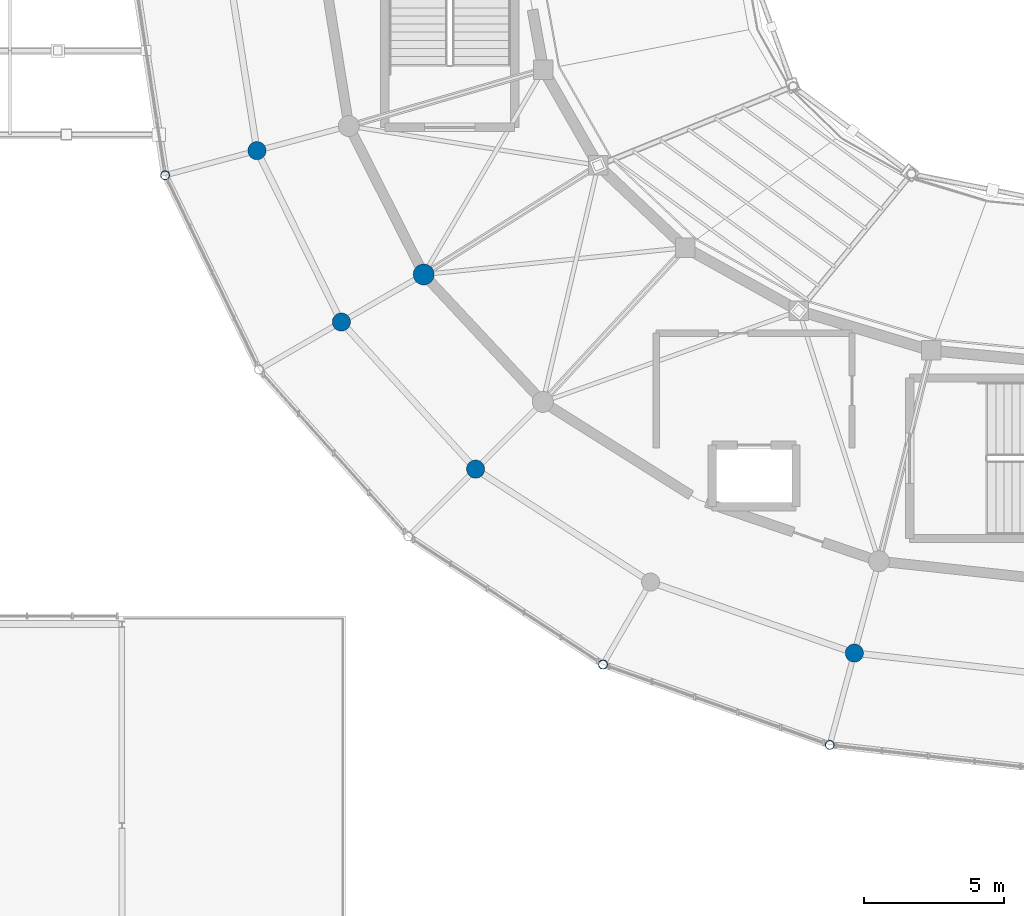
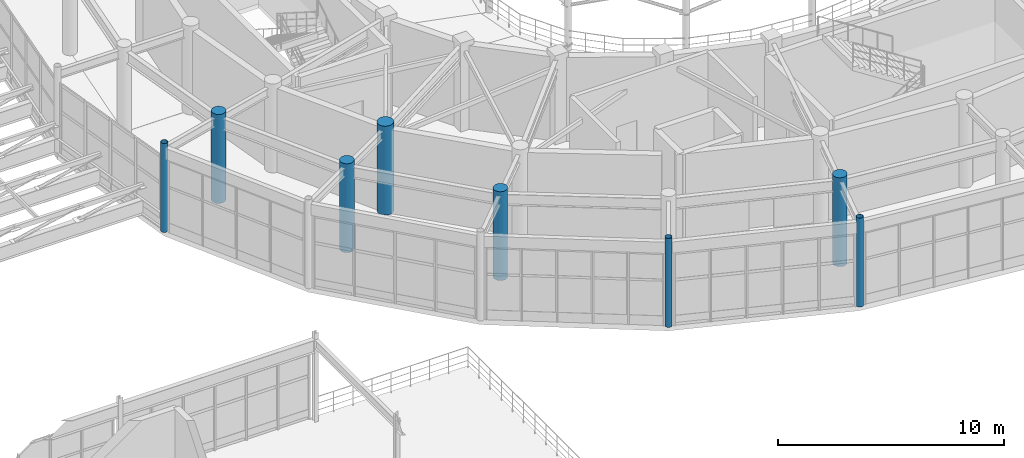
# One storey, part 8 of 144: 8 columns.
"""IFC4 building model written with IfcOpenShell, lengths in metres."""

from ifc_helpers import new_model, si_unit, direction, frame, origin, origin_2d, place, context, subcontext, project, spatial, circle, hollow_circle, extrude, material, material_profile, profile_set, type_object, element, save


model = new_model("IFC4")

# Units and contexts
model_context = context("Model", 3, precision=1e-05, world=origin(), true_north=direction((0.0, 1.0)))
body_context = subcontext(model_context, "Body", "Model", "MODEL_VIEW")
ifc_project = project(units=[si_unit("LENGTHUNIT", "METRE"), si_unit("AREAUNIT", "SQUARE_METRE"), si_unit("VOLUMEUNIT", "CUBIC_METRE"), si_unit("PLANEANGLEUNIT", "RADIAN"), si_unit("MASSUNIT", "GRAM", prefix="KILO")], contexts=[model_context])

# Site, building, storey
site_placement = place(None, origin())
site = spatial("IfcSite", under=ifc_project, at=site_placement, CompositionType="ELEMENT")
building_placement = place(site_placement, origin())
building = spatial("IfcBuilding", under=site, at=building_placement, Name="Cinderbank Siding Concert Hall", CompositionType="ELEMENT")
storey_placement = place(building_placement, frame((0.0, 0.0, 5.39990234375)))
storey = spatial("IfcBuildingStorey", under=building, at=storey_placement, Name="L02", CompositionType="ELEMENT", Elevation=5.39990234375)

# Columns
ifc_material_1 = material(Name="Structural steel hollow section AS/NZS 1163 Grade C350L0 (350 MPa)", Category="steel")
ifc_material_profile_1 = material_profile(ifc_material_1, hollow_circle(Radius=0.161865234375, WallThickness=0.0126953125, at=origin_2d()), Name="323.9x12.7CHS", Category="LoadBearing")
ifc_profile_set_1 = profile_set([ifc_material_profile_1], Name="Structural steel hollow section AS/NZS 1163 Grade C350L0 (350 MPa)")
column_type_1 = type_object("IfcColumnType", Name="C-CHS323 323.9x12.7CHS", PredefinedType="COLUMN", material=ifc_profile_set_1)
for number, where, z_axis, x_axis, name in (
    (1, (89.544921875, 36.5458984375, 0.0), (0.0, 0.0, 1.0), (1.0, 0.0, 0.0), "L02 Column COL-E4-14"),
    (2, (105.199951171875, 19.05810546875, 0.0), (0.0, 0.0, 1.0), (1.0, 0.0, 0.0), "L02 Column COL-E4-17"),
    (3, (113.303955078125, 16.180908203125, 0.0), (0.0, 0.0, 1.0), (1.0, 0.0, 0.0), "L02 Column COL-E4-18"),
):
    element("IfcColumn", number, at=place(storey_placement, frame(where, z_axis=z_axis, x_axis=x_axis)), inside=storey, type_object=column_type_1, Name=name, PredefinedType="COLUMN", context=body_context, shape_type="SweptSolid", body=[
        extrude(hollow_circle(Radius=0.161865234375, WallThickness=0.0126953125, at=origin_2d()), origin(), (0.0, 0.0, 1.0), 4.800048828125),
    ])
ifc_material_2 = material(Name="Reinforced concrete AS 3600 N50 (50 MPa)", Category="concrete")
ifc_material_profile_2 = material_profile(ifc_material_2, circle(Radius=0.324951171875, at=origin_2d()), Name="RC-COL-650DIA", Category="LoadBearing")
ifc_profile_set_2 = profile_set([ifc_material_profile_2], Name="Reinforced concrete AS 3600 N50 (50 MPa)")
column_type_2 = type_object("IfcColumnType", Name="C-RCD650 RC-COL-650DIA", PredefinedType="COLUMN", material=ifc_profile_set_2)
for number, where, z_axis, x_axis, name in (
    (4, (92.8291015625, 37.426025390625, 0.0), (0.0, 0.0, 1.0), (1.0, 0.0, 0.0), "L02 Column COL-E3-14"),
    (5, (95.845947265625, 31.300048828125, 0.0), (0.0, 0.0, 1.0), (1.0, 0.0, 0.0), "L02 Column COL-E3-15"),
    (6, (100.64501953125, 26.0400390625, 0.0), (0.0, 0.0, 1.0), (1.0, 0.0, 0.0), "L02 Column COL-E3-16"),
    (7, (114.18408203125, 19.465087890625, 0.0), (0.0, 0.0, 1.0), (1.0, 0.0, 0.0), "L02 Column COL-E3-18"),
):
    element("IfcColumn", number, at=place(storey_placement, frame(where, z_axis=z_axis, x_axis=x_axis)), inside=storey, type_object=column_type_2, Name=name, PredefinedType="COLUMN", context=body_context, shape_type="SweptSolid", body=[
        extrude(circle(Radius=0.324951171875, at=origin_2d()), origin(), (0.0, 0.0, 1.0), 4.800048828125),
    ])
ifc_material_profile_3 = material_profile(ifc_material_2, circle(Radius=0.375, at=origin_2d()), Name="RC-COL-750DIA", Category="LoadBearing")
ifc_profile_set_3 = profile_set([ifc_material_profile_3], Name="Reinforced concrete AS 3600 N50 (50 MPa)")
column_type_3 = type_object("IfcColumnType", Name="C-RCD750 RC-COL-750DIA", PredefinedType="COLUMN", material=ifc_profile_set_3)
column_placement = place(storey_placement, frame((98.7900390625, 33.0, 0.0), z_axis=(0.0, 0.0, 1.0), x_axis=(1.0, 0.0, 0.0)))
element("IfcColumn", 8, at=column_placement, inside=storey, type_object=column_type_3, Name="L02 Column COL-E2-15", PredefinedType="COLUMN", context=body_context, shape_type="SweptSolid", body=[
    extrude(circle(Radius=0.375, at=origin_2d()), origin(), (0.0, 0.0, 1.0), 4.800048828125),
])

save(model, "model.ifc")
